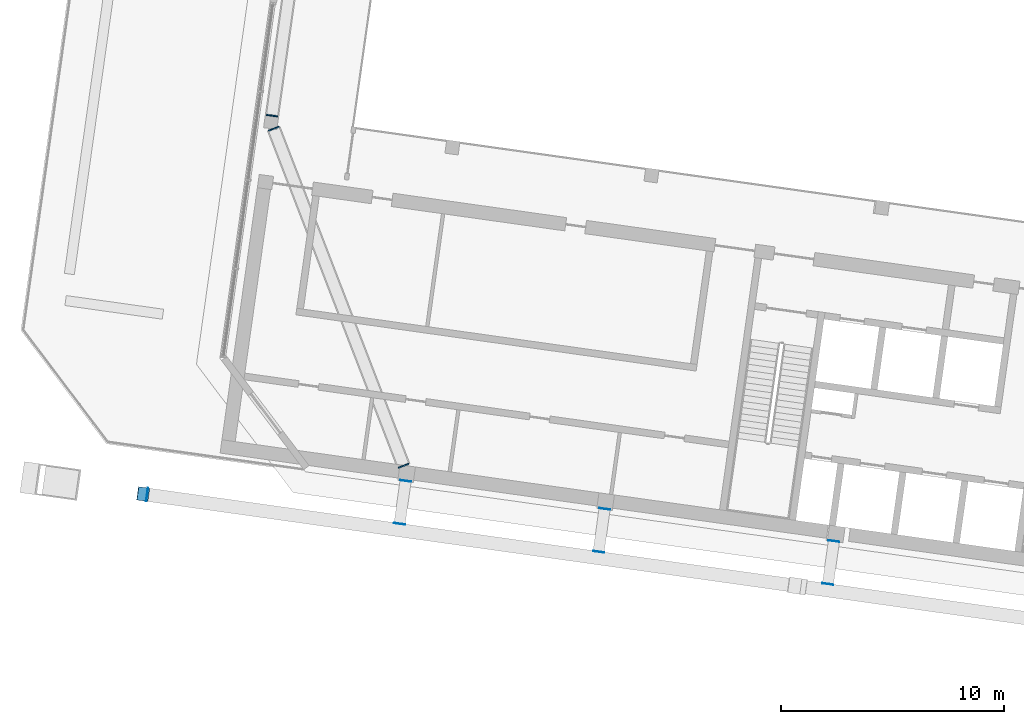
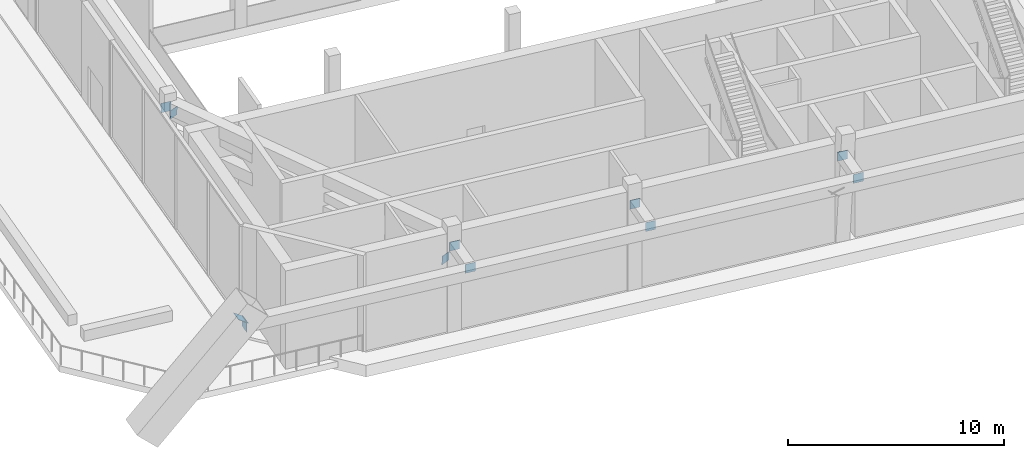
# One storey, part 20 of 29: 11 discrete accessories.
"""IFC4 building model written with IfcOpenShell, lengths in metres."""

from ifc_helpers import new_model, si_unit, direction, frame, origin, origin_2d, place, context, subcontext, project, spatial, rectangle, extrude, material, material_profile, profile_set, type_object, element, save


model = new_model("IFC4")

# Units and contexts
model_context = context("Model", 3, precision=1e-05, world=origin(), true_north=direction((0.0, 1.0)))
body_context = subcontext(model_context, "Body", "Model", "MODEL_VIEW")
ifc_project = project(units=[si_unit("LENGTHUNIT", "METRE"), si_unit("AREAUNIT", "SQUARE_METRE"), si_unit("VOLUMEUNIT", "CUBIC_METRE"), si_unit("PLANEANGLEUNIT", "RADIAN"), si_unit("MASSUNIT", "GRAM", prefix="KILO")], contexts=[model_context])

# Site, building, storey
site_placement = place(None, origin())
site = spatial("IfcSite", under=ifc_project, at=site_placement, CompositionType="ELEMENT")
building_placement = place(site_placement, origin())
building = spatial("IfcBuilding", under=site, at=building_placement, Name="Mirante Cascada Hotel Towers", CompositionType="ELEMENT")
storey_placement = place(building_placement, frame((0.0, 0.0, 210.6)))
storey = spatial("IfcBuildingStorey", under=building, at=storey_placement, Name="L50", CompositionType="ELEMENT", Elevation=210.6)

# Discrete accessories
ifc_material_1 = material(Name="Steel ASTM A572 Gr 50", Category="steel")
ifc_material_profile_1 = material_profile(ifc_material_1, rectangle(XDim=0.5, YDim=0.5, at=origin_2d()), Name="Connection plate 500x500x25 ASTM A572 Gr 50")
ifc_profile_set_1 = profile_set([ifc_material_profile_1], Name="Steel ASTM A572 Gr 50")
discrete_accessory_type_1 = type_object("IfcDiscreteAccessoryType", Name="Connection plate 500x500x25 ASTM A572 Gr 50", PredefinedType="BRACKET", material=ifc_profile_set_1)
discrete_accessory_1_placement = place(storey_placement, frame((-74.2441, 0.7771, 4.8488), z_axis=(-0.1396541, -0.9855588, 0.0957628), x_axis=(0.9901092, -0.1402989, 0.0)))
element("IfcDiscreteAccessory", 1, at=discrete_accessory_1_placement, inside=storey, type_object=discrete_accessory_type_1, Name="Connection plate BT50D", PredefinedType="BRACKET", context=body_context, shape_type="SweptSolid", body=[
    extrude(rectangle(XDim=0.5, YDim=0.5, at=origin_2d()), origin(), (0.0, 0.0, 1.0), 0.0251),
])
discrete_accessory_2_placement = place(storey_placement, frame((-74.1731, 0.1975, 4.8508), z_axis=(0.3595831, -0.9309208, -0.0639259), x_axis=(0.9328287, 0.3603201, 0.0)))
element("IfcDiscreteAccessory", 2, at=discrete_accessory_2_placement, inside=storey, type_object=discrete_accessory_type_1, Name="Connection plate BT50D", PredefinedType="BRACKET", context=body_context, shape_type="SweptSolid", body=[
    extrude(rectangle(XDim=0.5, YDim=0.5, at=origin_2d()), origin(), (0.0, 0.0, 1.0), 0.025),
])
for number, where, z_axis, x_axis, name in (
    (3, (-68.3587, -14.8936, 3.7508), (0.3609252, -0.9303848, -0.0641645), (0.932306, 0.3616704, 0.0), "Connection plate BT50D"),
    (4, (-49.0819, -18.2702, 4.85), (-0.136366, -0.9906585, 0.0), (0.9906585, -0.136366, 0.0), "Connection plate TIE"),
    (5, (-49.3519, -20.1913, 4.85), (-0.136366, -0.9906585, 0.0), (0.9906585, -0.136366, 0.0), "Connection plate TIE"),
    (6, (-59.3492, -16.8272, 4.85), (-0.136366, -0.9906585, 0.0), (0.9906585, -0.136366, 0.0), "Connection plate TIE"),
):
    element("IfcDiscreteAccessory", number, at=place(storey_placement, frame(where, z_axis=z_axis, x_axis=x_axis)), inside=storey, type_object=discrete_accessory_type_1, Name=name, PredefinedType="BRACKET", context=body_context, shape_type="SweptSolid", body=[
        extrude(rectangle(XDim=0.5, YDim=0.5, at=origin_2d()), origin(), (0.0, 0.0, 1.0), 0.0249),
    ])
for number, where, z_axis, x_axis, name in (
    (7, (-59.6192, -18.7483, 4.85), (-0.1358263, -0.9907327, 0.0), (0.9907327, -0.1358263, 0.0), "Connection plate TIE"),
    (8, (-68.2616, -15.5746, 4.85), (-0.1397442, -0.9901876, 0.0), (0.9901876, -0.1397442, 0.0), "Connection plate TIE"),
    (9, (-68.5316, -17.4957, 4.85), (-0.1397442, -0.9901876, 0.0), (0.9901876, -0.1397442, 0.0), "Connection plate TIE"),
):
    element("IfcDiscreteAccessory", number, at=place(storey_placement, frame(where, z_axis=z_axis, x_axis=x_axis)), inside=storey, type_object=discrete_accessory_type_1, Name=name, PredefinedType="BRACKET", context=body_context, shape_type="SweptSolid", body=[
        extrude(rectangle(XDim=0.5, YDim=0.5, at=origin_2d()), origin(), (0.0, 0.0, 1.0), 0.025),
    ])
ifc_material_2 = material(Name="Steel ASTM A572 Gr 50", Category="steel")
ifc_material_profile_2 = material_profile(ifc_material_2, rectangle(XDim=0.6, YDim=0.6, at=origin_2d()), Name="Connection plate 600x600x25 ASTM A572 Gr 50")
ifc_profile_set_2 = profile_set([ifc_material_profile_2], Name="Steel ASTM A572 Gr 50")
discrete_accessory_type_2 = type_object("IfcDiscreteAccessoryType", Name="Connection plate 600x600x25 ASTM A572 Gr 50", PredefinedType="BRACKET", material=ifc_profile_set_2)
for number, where, z_axis, x_axis, name in (
    (10, (-80.0211, -16.1764, 5.2077), (0.5558622, -0.0759812, 0.8277947), (0.1354313, 0.9907867, 0.0), "Connection plate MB-RL50R"),
    (11, (-79.8253, -16.2039, 4.85), (-0.9901876, 0.1397442, 0.0), (-0.1397442, -0.9901876, 0.0), "Connection plate NCH"),
):
    element("IfcDiscreteAccessory", number, at=place(storey_placement, frame(where, z_axis=z_axis, x_axis=x_axis)), inside=storey, type_object=discrete_accessory_type_2, Name=name, PredefinedType="BRACKET", context=body_context, shape_type="SweptSolid", body=[
        extrude(rectangle(XDim=0.6, YDim=0.6, at=origin_2d()), origin(), (0.0, 0.0, 1.0), 0.025),
    ])

save(model, "model.ifc")
